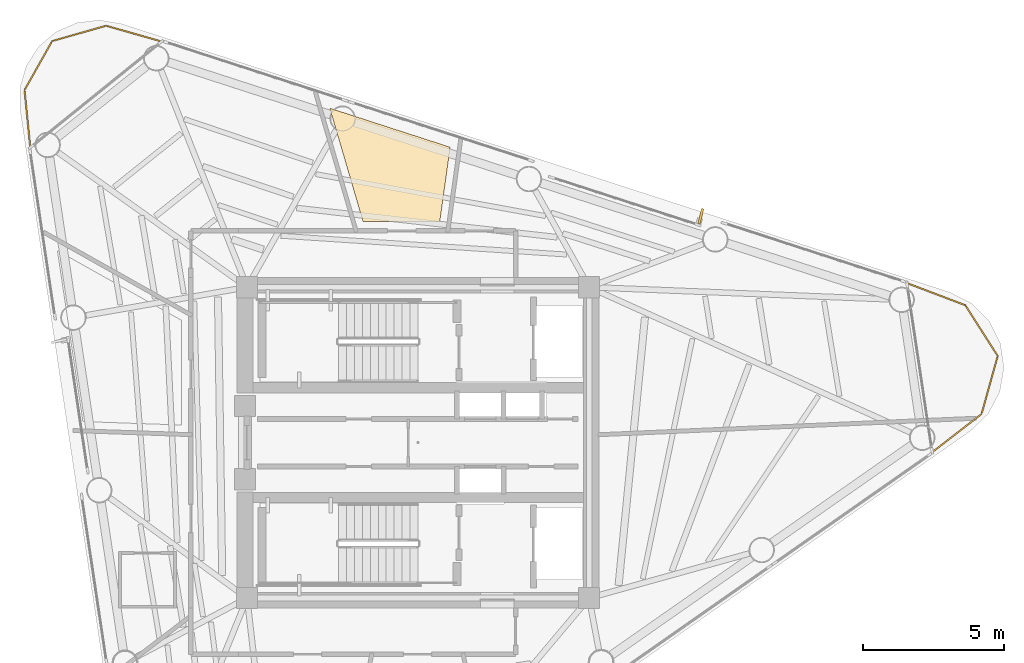
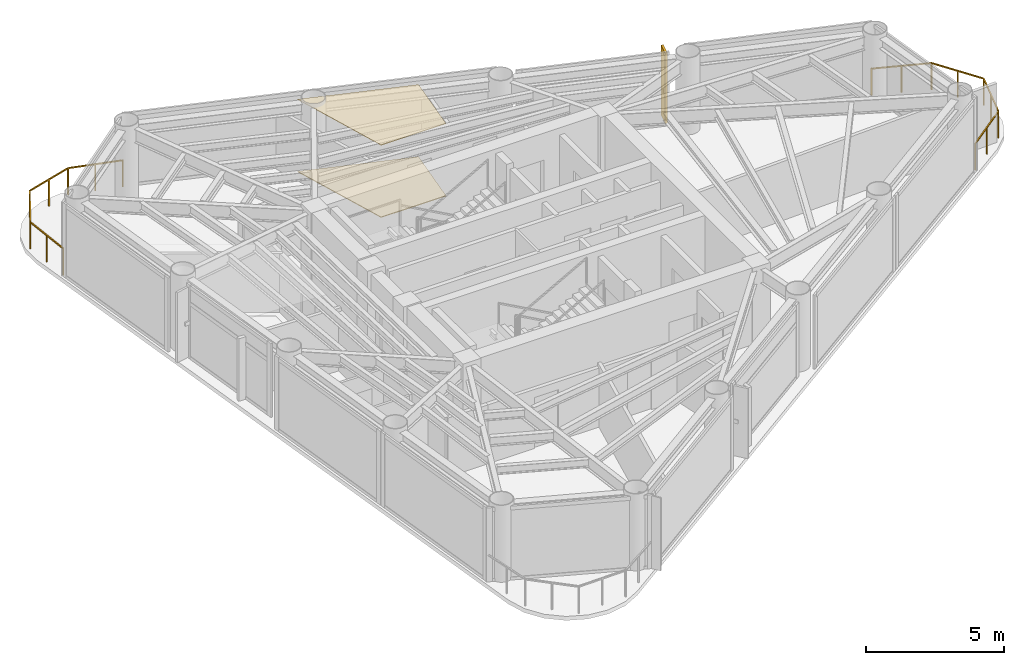
# One storey, part 9 of 9: 2 coverings, 2 railings, 1 shading device.
"""IFC4 building model written with IfcOpenShell, lengths in metres."""

from ifc_helpers import new_model, si_unit, direction, frame, origin, origin_2d, place, context, subcontext, project, spatial, polyline, rectangle, outline, extrude, source, transform, mapped, material, layer, layer_set, material_profile, profile_set, type_object, element, save


model = new_model("IFC4")

# Units and contexts
model_context = context("Model", 3, precision=1e-05, world=origin(), true_north=direction((0.0, 1.0)))
body_context = subcontext(model_context, "Body", "Model", "MODEL_VIEW")
ifc_project = project(units=[si_unit("LENGTHUNIT", "METRE"), si_unit("AREAUNIT", "SQUARE_METRE"), si_unit("VOLUMEUNIT", "CUBIC_METRE"), si_unit("PLANEANGLEUNIT", "RADIAN"), si_unit("MASSUNIT", "GRAM", prefix="KILO")], contexts=[model_context])

# Site, building, storey
site_placement = place(None, origin())
site = spatial("IfcSite", under=ifc_project, at=site_placement, CompositionType="ELEMENT")
building_placement = place(site_placement, origin())
building = spatial("IfcBuilding", under=site, at=building_placement, Name="Yunling Apex Tower", CompositionType="ELEMENT")
storey_placement = place(building_placement, frame((0.0, 0.0, 257.550048828125)))
storey = spatial("IfcBuildingStorey", under=building, at=storey_placement, Name="L62", CompositionType="ELEMENT", Elevation=257.550048828125)

# Coverings
ifc_material_1 = material(Name="Acoustic mineral fibre ceiling")
ifc_layer_1 = layer(ifc_material_1, 0.02490234375)
ifc_layer_set_1 = layer_set([ifc_layer_1], Name="Acoustic mineral fibre ceiling")
covering_type_1 = type_object("IfcCoveringType", Name="CV-CLG-1", PredefinedType="CEILING", material=ifc_layer_set_1)
covering_1_placement = place(storey_placement, frame((0.0, 0.0, 3.195068359375)))
element("IfcCovering", 1, at=covering_1_placement, inside=storey, type_object=covering_type_1, Name="CV-CL-SP-L62-AMN6", PredefinedType="CEILING", context=body_context, shape_type="SweptSolid", body=[
    extrude(outline(polyline([(-3.12353515625, 11.831787109375), (1.135498046875, 10.451416015625), (0.765869140625, 7.820068359375), (-1.94775390625, 7.820068359375), (-3.12353515625, 11.831787109375)])), origin(), (0.0, 0.0, 1.0), 0.02490234375),
])
ifc_material_2 = material(Name="Polished granite stone", Category="masonry")
ifc_layer_2 = layer(ifc_material_2, 0.030029296875)
ifc_layer_set_2 = layer_set([ifc_layer_2], Name="Polished granite stone")
covering_type_2 = type_object("IfcCoveringType", Name="CV-FLR-1", PredefinedType="FLOORING", material=ifc_layer_set_2)
covering_2_placement = place(storey_placement, origin())
element("IfcCovering", 2, at=covering_2_placement, inside=storey, type_object=covering_type_2, Name="CV-FL-SP-L62-AMN6", PredefinedType="FLOORING", context=body_context, shape_type="SweptSolid", body=[
    extrude(outline(polyline([(-3.12353515625, 11.831787109375), (1.135498046875, 10.451416015625), (0.765869140625, 7.820068359375), (-1.94775390625, 7.820068359375), (-3.12353515625, 11.831787109375)])), origin(), (0.0, 0.0, 1.0), 0.030029296875),
])

# Railings
ifc_material_3 = material(Name="Bronze anodised aluminium", Category="aluminium")
railing_type = type_object("IfcRailingType", Name="RL-BAL-1200", PredefinedType="BALUSTRADE", material=ifc_material_3)
railing_1_placement = place(storey_placement, frame((17.301513671875, 5.64208984375, 0.0)))
element("IfcRailing", 3, at=railing_1_placement, inside=storey, type_object=railing_type, Name="RL-CRNSILL-L62-1", PredefinedType="BALUSTRADE", context=body_context, shape_type="SweptSolid", body=[
    extrude(rectangle(XDim=0.0439453125, YDim=0.0439453125, at=origin_2d()), origin(), (0.0, 0.0, 1.0), 1.199951171875),
    extrude(rectangle(XDim=0.0439453125, YDim=0.0439453125, at=origin_2d()), frame((2.06103515625, -0.78125, 0.0)), (0.0, 0.0, 1.0), 1.199951171875),
    extrude(rectangle(XDim=0.050048828125, YDim=0.050048828125, at=origin_2d()), frame((0.035888671875, -0.013671875, 1.1748046875), z_axis=(0.935076028929, -0.354447203574, 0.0), x_axis=(0.354447203574, 0.935076028929, 0.0)), (0.0, 0.0, 1.0), 2.12744140625),
    extrude(rectangle(XDim=0.0439453125, YDim=0.0439453125, at=origin_2d()), frame((1.030517578125, -0.390625, 0.0)), (0.0, 0.0, 1.0), 1.14599609375),
    extrude(rectangle(XDim=0.0439453125, YDim=0.0439453125, at=origin_2d()), frame((3.207275390625, -2.576904296875, 0.0)), (0.0, 0.0, 1.0), 1.199951171875),
    extrude(rectangle(XDim=0.050048828125, YDim=0.050048828125, at=origin_2d()), frame((2.08154296875, -0.8134765625, 1.1748046875), z_axis=(0.538061440176, -0.842905621405, 0.0), x_axis=(0.842905621405, 0.538061440176, 0.0)), (0.0, 0.0, 1.0), 2.0537109375),
    extrude(rectangle(XDim=0.0439453125, YDim=0.0439453125, at=origin_2d()), frame((2.63427734375, -1.67919921875, 0.0)), (0.0, 0.0, 1.0), 1.14599609375),
    extrude(rectangle(XDim=0.0439453125, YDim=0.0439453125, at=origin_2d()), frame((2.63623046875, -4.62939453125, 0.0)), (0.0, 0.0, 1.0), 1.199951171875),
    extrude(rectangle(XDim=0.050048828125, YDim=0.050048828125, at=origin_2d()), frame((3.197021484375, -2.61376953125, 1.1748046875), z_axis=(-0.268039837369, -0.963407829314, 0.0), x_axis=(0.963407829314, -0.268039837369, 0.0)), (0.0, 0.0, 1.0), 2.0537109375),
    extrude(rectangle(XDim=0.0439453125, YDim=0.0439453125, at=origin_2d()), frame((2.921875, -3.60302734375, 0.0)), (0.0, 0.0, 1.0), 1.14599609375),
    extrude(rectangle(XDim=0.0439453125, YDim=0.0439453125, at=origin_2d()), frame((0.8935546875, -5.979248046875, 0.0)), (0.0, 0.0, 1.0), 1.199951171875),
    extrude(rectangle(XDim=0.050048828125, YDim=0.050048828125, at=origin_2d()), frame((2.60595703125, -4.65283203125, 1.1748046875), z_axis=(-0.790573223341, -0.612367519172, 0.0), x_axis=(0.612367519172, -0.790573223341, 0.0)), (0.0, 0.0, 1.0), 2.127685546875),
    extrude(rectangle(XDim=0.0439453125, YDim=0.0439453125, at=origin_2d()), frame((1.764892578125, -5.30419921875, 0.0)), (0.0, 0.0, 1.0), 1.14599609375),
])
railing_2_placement = place(storey_placement, frame((-13.722900390625, 10.44091796875, 0.0)))
element("IfcRailing", 4, at=railing_2_placement, inside=storey, type_object=railing_type, Name="RL-CRNSILL-L62-2", PredefinedType="BALUSTRADE", context=body_context, shape_type="SweptSolid", body=[
    extrude(rectangle(XDim=0.0439453125, YDim=0.0439453125, at=origin_2d()), origin(), (0.0, 0.0, 1.0), 1.199951171875),
    extrude(rectangle(XDim=0.0439453125, YDim=0.0439453125, at=origin_2d()), frame((-0.20361328125, 2.0341796875, 0.0)), (0.0, 0.0, 1.0), 1.199951171875),
    extrude(rectangle(XDim=0.050048828125, YDim=0.050048828125, at=origin_2d()), frame((-0.00390625, 0.0380859375, 1.1748046875), z_axis=(-0.099598310599, 0.995027726511, 0.0), x_axis=(-0.995027726511, -0.099598310599, 0.0)), (0.0, 0.0, 1.0), 1.9677734375),
    extrude(rectangle(XDim=0.0439453125, YDim=0.0439453125, at=origin_2d()), frame((-0.101806640625, 1.01708984375, 0.0)), (0.0, 0.0, 1.0), 1.14599609375),
    extrude(rectangle(XDim=0.0439453125, YDim=0.0439453125, at=origin_2d()), frame((0.774169921875, 3.7666015625, 0.0)), (0.0, 0.0, 1.0), 1.199951171875),
    extrude(rectangle(XDim=0.050048828125, YDim=0.050048828125, at=origin_2d()), frame((-0.184814453125, 2.067626953125, 1.1748046875), z_axis=(0.491519311586, 0.870866675409, 0.0), x_axis=(-0.870866675409, 0.491519311586, 0.0)), (0.0, 0.0, 1.0), 1.91259765625),
    extrude(rectangle(XDim=0.0439453125, YDim=0.0439453125, at=origin_2d()), frame((0.28515625, 2.900390625, 0.0)), (0.0, 0.0, 1.0), 1.14599609375),
    extrude(rectangle(XDim=0.0439453125, YDim=0.0439453125, at=origin_2d()), frame((2.68115234375, 4.3095703125, 0.0)), (0.0, 0.0, 1.0), 1.199951171875),
    extrude(rectangle(XDim=0.050048828125, YDim=0.050048828125, at=origin_2d()), frame((0.81103515625, 3.777099609375, 1.1748046875), z_axis=(0.961774454599, 0.273842835364, 0.0), x_axis=(-0.273842835364, 0.961774454599, 0.0)), (0.0, 0.0, 1.0), 1.906005859375),
    extrude(rectangle(XDim=0.0439453125, YDim=0.0439453125, at=origin_2d()), frame((1.7275390625, 4.0380859375, 0.0)), (0.0, 0.0, 1.0), 1.14599609375),
    extrude(rectangle(XDim=0.0439453125, YDim=0.0439453125, at=origin_2d()), frame((4.6484375, 3.7509765625, 0.0)), (0.0, 0.0, 1.0), 1.199951171875),
    extrude(rectangle(XDim=0.050048828125, YDim=0.050048828125, at=origin_2d()), frame((2.718017578125, 4.299072265625, 1.1748046875), z_axis=(0.961973149689, -0.273144026618, 0.0), x_axis=(0.273144026618, 0.961973149689, 0.0)), (0.0, 0.0, 1.0), 1.968505859375),
    extrude(rectangle(XDim=0.0439453125, YDim=0.0439453125, at=origin_2d()), frame((3.664794921875, 4.0302734375, 0.0)), (0.0, 0.0, 1.0), 1.14599609375),
])

# Shading device
ifc_material_profile = material_profile(ifc_material_3, rectangle(XDim=0.0849609375, YDim=0.550048828125, at=origin_2d()))
ifc_profile_set = profile_set([ifc_material_profile], Name="Bronze anodised aluminium")
shading_device_type = type_object("IfcShadingDeviceType", Name="FN-BRZ-3", PredefinedType="USERDEFINED", material=ifc_profile_set)
shared_shape = source(origin(), body_context, "Body", "SweptSolid", [
    extrude(rectangle(XDim=0.0849609375, YDim=0.550048828125, at=origin_2d()), origin(), (0.0, 0.0, 1.0), 3.10009765625),
])
shading_device_placement = place(storey_placement, frame((10.0048828125, 8.012451171875, 0.059814453125), z_axis=(0.0, 0.0, 1.0), x_axis=(-0.969402520914, 0.245476582274, 0.0)))
element("IfcShadingDevice", 5, at=shading_device_placement, inside=storey, type_object=shading_device_type, Name="CW-L62-F2-B2-FIN-01", ObjectType="FIN", PredefinedType="USERDEFINED", context=body_context, shape_type="MappedRepresentation", body=[
    mapped(shared_shape, transform((0.0, 0.0, 0.0), scale=1.0)),
])

save(model, "model.ifc")
